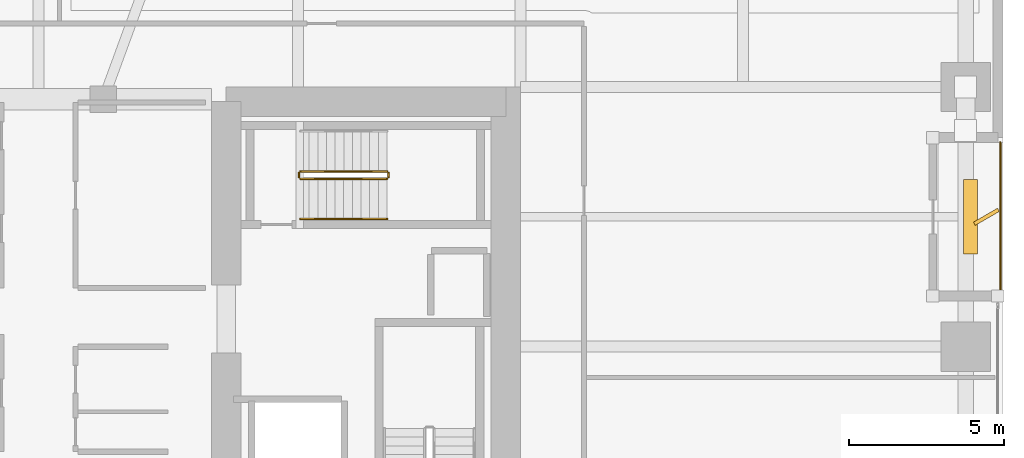
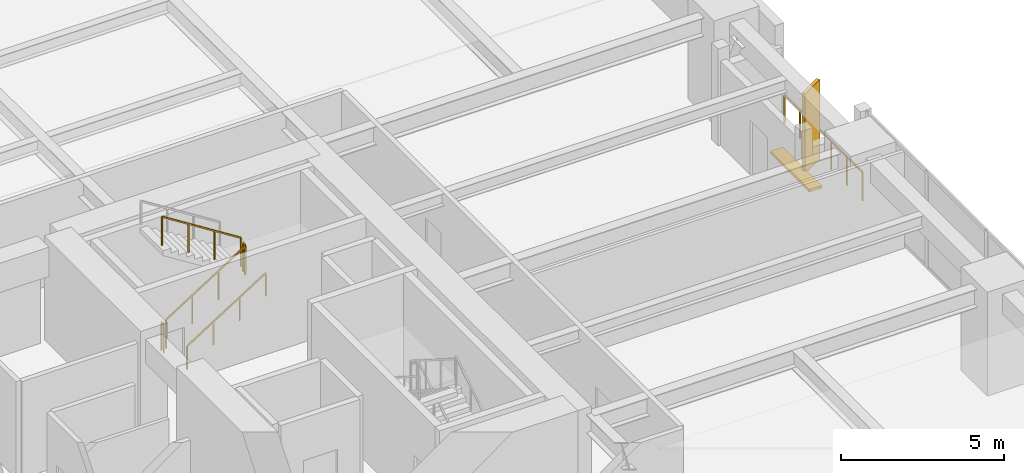
# One storey, part 28 of 29: 6 railings, 2 shading devices.
"""IFC4 building model written with IfcOpenShell, lengths in metres."""

import ifcopenshell
import ifcopenshell.guid

model = None  # the IFC model being written
_history = None  # IfcOwnerHistory: only IFC2X3 demands one
_inside = {}  # id of a spatial element -> (the spatial element, [elements in it])
_under = {}  # id of a project, library or spatial element -> (it, [spatial elements below it])
_declared = {}  # id of a project -> (the project, [libraries it declares])
_typed = {}  # id of a type object -> (the type object, [elements of that type])
_made_of = {}  # id of a material, layer set ... -> (it, [elements and type objects made of it])


def new_model(schema):
    """Start an empty IFC model of exactly this schema.

    Asked for "IFC4X3", IfcOpenShell would pick the latest addendum, in which some entities
    have other attributes; the version numbers below select the first issue.
    IFC2X3 requires an IfcOwnerHistory on every rooted entity: one is made here for all.
    """
    global model, _history
    if schema == "IFC4X3":
        model = ifcopenshell.file(schema_version=(4, 3, 0, 0))
    else:
        model = ifcopenshell.file(schema=schema)
    _inside.clear()
    _under.clear()
    _declared.clear()
    _typed.clear()
    _made_of.clear()
    _history = None
    if model.schema == "IFC2X3":
        org = make("IfcOrganization", Name="unknown")
        user = make(
            "IfcPersonAndOrganization",
            ThePerson=make("IfcPerson", FamilyName="unknown"),
            TheOrganization=org,
        )
        app = make(
            "IfcApplication",
            ApplicationDeveloper=org,
            Version="unknown",
            ApplicationFullName="unknown",
            ApplicationIdentifier="unknown",
        )
        _history = make(
            "IfcOwnerHistory",
            OwningUser=user,
            OwningApplication=app,
            ChangeAction="ADDED",
            CreationDate=0,
        )
    return model


def make(cls, **values):
    """One entity of the class cls with the attributes given. An attribute that is None is left unset."""
    return model.create_entity(
        cls, **{name: value for name, value in values.items() if value is not None}
    )


def rooted(cls, **values):
    """An entity with a GlobalId (a new one), such as an element, a storey or a relation."""
    return make(cls, GlobalId=ifcopenshell.guid.new(), OwnerHistory=_history, **values)


def si_unit(unit_type, name, prefix=None):
    """IfcSIUnit, for example si_unit("LENGTHUNIT", "METRE", prefix="MILLI")."""
    return make("IfcSIUnit", UnitType=unit_type, Prefix=prefix, Name=name)


def assignment(units):
    """IfcUnitAssignment: the units of a project."""
    return None if units is None else make("IfcUnitAssignment", Units=units)


def point(xyz):
    """IfcCartesianPoint."""
    return None if xyz is None else make("IfcCartesianPoint", Coordinates=xyz)


def direction(xyz):
    """IfcDirection."""
    return None if xyz is None else make("IfcDirection", DirectionRatios=xyz)


def frame(location, z_axis=None, x_axis=None):
    """IfcAxis2Placement3D, a coordinate frame: its origin and axes. An axis left out is left unset."""
    return make(
        "IfcAxis2Placement3D",
        Location=point(location),
        Axis=direction(z_axis),
        RefDirection=direction(x_axis),
    )


def frame_2d(location, x_axis=None):
    """IfcAxis2Placement2D, a coordinate frame in the plane: its origin and x axis."""
    return make(
        "IfcAxis2Placement2D", Location=point(location), RefDirection=direction(x_axis)
    )


def origin():
    """The frame at (0, 0, 0) with its axes left unset."""
    return frame((0.0, 0.0, 0.0))


def origin_2d():
    """The frame at (0, 0) in the plane with its x axis left unset."""
    return frame_2d((0.0, 0.0))


def place(relative_to, where):
    """IfcLocalPlacement: puts the frame where relative to a parent placement (None: the world)."""
    return make(
        "IfcLocalPlacement", PlacementRelTo=relative_to, RelativePlacement=where
    )


def context(
    kind, dimensions, precision=None, world=None, true_north=None, identifier=None
):
    """IfcGeometricRepresentationContext, for example the 3D "Model" context."""
    return make(
        "IfcGeometricRepresentationContext",
        ContextIdentifier=identifier,
        ContextType=kind,
        CoordinateSpaceDimension=dimensions,
        Precision=precision,
        WorldCoordinateSystem=world,
        TrueNorth=true_north,
    )


def subcontext(parent, identifier, kind, view, scale=None):
    """IfcGeometricRepresentationSubContext, for example "Body" below "Model"."""
    return make(
        "IfcGeometricRepresentationSubContext",
        ContextIdentifier=identifier,
        ContextType=kind,
        ParentContext=parent,
        TargetScale=scale,
        TargetView=view,
    )


def project(units=None, contexts=None):
    """IfcProject with its units and contexts."""
    return rooted(
        "IfcProject",
        Name="project",
        RepresentationContexts=contexts,
        UnitsInContext=assignment(units),
    )


def spatial(cls, under=None, at=None, **own):
    """A site, building, storey or space (cls), placed at a placement, below another one or the project."""
    s = rooted(cls, ObjectPlacement=at, **own)
    if under is not None:
        _under.setdefault(under.id(), (under, []))[1].append(s)
    return s


def profile(cls, at=None, kind="AREA", **sizes):
    """A parametric profile (cls). Its sizes go by their IFC names, for example OverallWidth=200.0."""
    return make(cls, ProfileType=kind, Position=at, **sizes)


def rectangle(**sizes):
    """IfcRectangleProfileDef."""
    return profile("IfcRectangleProfileDef", **sizes)


def extrude(swept, where, along, depth):
    """IfcExtrudedAreaSolid: the profile swept, set in the frame where, extruded along a direction by depth."""
    return make(
        "IfcExtrudedAreaSolid",
        SweptArea=swept,
        Position=where,
        ExtrudedDirection=direction(along),
        Depth=depth,
    )


def shape(context_of_items, identifier, shape_type, items):
    """IfcShapeRepresentation: the items that make up one representation, for example the "Body"."""
    return make(
        "IfcShapeRepresentation",
        ContextOfItems=context_of_items,
        RepresentationIdentifier=identifier,
        RepresentationType=shape_type,
        Items=items,
    )


def material(Name=None, Category=None):
    """IfcMaterial."""
    return make("IfcMaterial", Name=Name, Category=Category)


def made_of(thing, what):
    """Note that an element or type object is made of a material, layer set ...; save() writes the relation."""
    if what is not None:
        _made_of.setdefault(what.id(), (what, []))[1].append(thing)
    return thing


def type_object(cls, material=None, **own):
    """A type object (cls), such as IfcWallType, which elements share."""
    return made_of(rooted(cls, **own), material)


def element(
    cls,
    number,
    at=None,
    inside=None,
    cuts=None,
    type_object=None,
    material=None,
    context=None,
    identifier="Body",
    shape_type=None,
    held_by="IfcProductDefinitionShape",
    body=None,
    shapes=None,
    **own,
):
    """One element of the class cls, such as IfcWall. Its Tag is "e" and its number.

    at: its placement. inside: the storey or other place that contains it. cuts: it is an
    opening in that element (IfcRelVoidsElement). A single representation is given by context,
    identifier, shape_type and body (its items); several are given by shapes. held_by: the class
    of the entity that holds the representations. save() writes the other relations.
    """
    e = rooted(cls, Tag="e%d" % number, ObjectPlacement=at, **own)
    if body is not None:
        shapes = [shape(context, identifier, shape_type, body)]
    if shapes is not None:
        e.Representation = make(held_by, Representations=shapes)
    if inside is not None:
        _inside.setdefault(inside.id(), (inside, []))[1].append(e)
    if cuts is not None:
        rooted(
            "IfcRelVoidsElement", RelatingBuildingElement=cuts, RelatedOpeningElement=e
        )
    if type_object is not None:
        _typed.setdefault(type_object.id(), (type_object, []))[1].append(e)
    return made_of(e, material)


def aggregate(whole, parts):
    """IfcRelAggregates: a whole, such as a stair, and the parts it consists of."""
    return rooted("IfcRelAggregates", RelatingObject=whole, RelatedObjects=parts)


def save(model, path):
    """Write the relations noted so far, then the file.

    IfcRelAggregates (storeys below a building ...), IfcRelContainedInSpatialStructure (elements
    in a storey), IfcRelDefinesByType, IfcRelAssociatesMaterial and IfcRelDeclares: one each for
    every whole, place, type object, material and project.
    """
    for whole, parts in _under.values():
        aggregate(whole, parts)
    for where, things in _inside.values():
        rooted(
            "IfcRelContainedInSpatialStructure",
            RelatedElements=things,
            RelatingStructure=where,
        )
    for kind, things in _typed.values():
        rooted("IfcRelDefinesByType", RelatedObjects=things, RelatingType=kind)
    for what, things in _made_of.values():
        rooted("IfcRelAssociatesMaterial", RelatedObjects=things, RelatingMaterial=what)
    for by, libraries in _declared.values():
        rooted("IfcRelDeclares", RelatingContext=by, RelatedDefinitions=libraries)
    model.write(path)


model = new_model("IFC4")

# Units and contexts
model_context = context("Model", 3, precision=1e-05, world=origin(), true_north=direction((0.0, 1.0)))
body_context = subcontext(model_context, "Body", "Model", "MODEL_VIEW")
ifc_project = project(units=[si_unit("LENGTHUNIT", "METRE"), si_unit("AREAUNIT", "SQUARE_METRE"), si_unit("VOLUMEUNIT", "CUBIC_METRE"), si_unit("PLANEANGLEUNIT", "RADIAN"), si_unit("MASSUNIT", "GRAM", prefix="KILO")], contexts=[model_context])

# Site, building, storey
site_placement = place(None, origin())
site = spatial("IfcSite", under=ifc_project, at=site_placement, CompositionType="ELEMENT")
building_placement = place(site_placement, origin())
building = spatial("IfcBuilding", under=site, at=building_placement, Name="Kiyonajd Concourse Tower", CompositionType="ELEMENT")
storey_placement = place(building_placement, frame((0.0, 0.0, 29.39990234375)))
storey = spatial("IfcBuildingStorey", under=building, at=storey_placement, Name="L08", CompositionType="ELEMENT", Elevation=29.39990234375)

# Railings
ifc_material_1 = material(Name="Thermally Broken Anodised Aluminium", Category="aluminium")
railing_type_1 = type_object("IfcRailingType", Name="RL-GRD-LOG", PredefinedType="GUARDRAIL", material=ifc_material_1)
railing_1_placement = place(storey_placement, frame((79.1201171875, 37.800048828125, 0.0)))
element("IfcRailing", 1, at=railing_1_placement, inside=storey, type_object=railing_type_1, Name="L08 Engawa Loggia Perimeter Guard LOG-E", PredefinedType="GUARDRAIL", context=body_context, shape_type="SweptSolid", body=[
    extrude(rectangle(XDim=0.048095703125, YDim=0.048095703125, at=origin_2d()), frame((0.0, 0.0, 1.076171875), z_axis=(0.0, 1.0, 0.0), x_axis=(-1.0, 0.0, 0.0)), (0.0, 0.0, 1.0), 4.800048828125),
    extrude(rectangle(XDim=0.0419921875, YDim=0.0419921875, at=origin_2d()), origin(), (0.0, 0.0, 1.0), 1.052001953125),
    extrude(rectangle(XDim=0.0419921875, YDim=0.0419921875, at=origin_2d()), frame((0.0, 0.9599609375, 0.0)), (0.0, 0.0, 1.0), 1.052001953125),
    extrude(rectangle(XDim=0.0419921875, YDim=0.0419921875, at=origin_2d()), frame((0.0, 1.919921875, 0.0)), (0.0, 0.0, 1.0), 1.052001953125),
    extrude(rectangle(XDim=0.0419921875, YDim=0.0419921875, at=origin_2d()), frame((0.0, 2.880126953125, 0.0)), (0.0, 0.0, 1.0), 1.052001953125),
    extrude(rectangle(XDim=0.0419921875, YDim=0.0419921875, at=origin_2d()), frame((0.0, 3.840087890625, 0.0)), (0.0, 0.0, 1.0), 1.052001953125),
    extrude(rectangle(XDim=0.0419921875, YDim=0.0419921875, at=origin_2d()), frame((0.0, 4.800048828125, 0.0)), (0.0, 0.0, 1.0), 1.052001953125),
])
ifc_material_2 = material(Name="Steel ASTM A500 Grade C", Category="steel")
railing_type_2 = type_object("IfcRailingType", Name="RL-GRD-STR", PredefinedType="GUARDRAIL", material=ifc_material_2)
railing_2_placement = place(storey_placement, frame((56.47998046875, 41.429931640625, 0.177490234375)))
element("IfcRailing", 2, at=railing_2_placement, inside=storey, type_object=railing_type_2, Name="L08 ST3 stair guard 1", PredefinedType="GUARDRAIL", context=body_context, shape_type="SweptSolid", body=[
    extrude(rectangle(XDim=0.048095703125, YDim=0.048095703125, at=origin_2d()), frame((0.0, 0.0, 1.076171875), z_axis=(0.844908973607, 0.0, 0.534910110503), x_axis=(0.0, 1.0, 0.0)), (0.0, 0.0, 1.0), 3.31396484375),
    extrude(rectangle(XDim=0.0419921875, YDim=0.0419921875, at=origin_2d()), origin(), (0.0, 0.0, 1.0), 1.052001953125),
    extrude(rectangle(XDim=0.0419921875, YDim=0.0419921875, at=origin_2d()), frame((0.933349609375, 0.0, 0.5908203125)), (0.0, 0.0, 1.0), 1.052001953125),
    extrude(rectangle(XDim=0.0419921875, YDim=0.0419921875, at=origin_2d()), frame((1.86669921875, 0.0, 1.181884765625)), (0.0, 0.0, 1.0), 1.052001953125),
    extrude(rectangle(XDim=0.0419921875, YDim=0.0419921875, at=origin_2d()), frame((2.800048828125, 0.0, 1.772705078125)), (0.0, 0.0, 1.0), 1.052001953125),
])
railing_3_placement = place(storey_placement, frame((59.330078125, 41.47998046875, 1.9501953125)))
element("IfcRailing", 3, at=railing_3_placement, inside=storey, type_object=railing_type_2, Name="L08 ST3 stair guard 2", PredefinedType="GUARDRAIL", context=body_context, shape_type="SweptSolid", body=[
    extrude(rectangle(XDim=0.048095703125, YDim=0.048095703125, at=origin_2d()), frame((0.0, 0.0, 1.076171875), z_axis=(0.0, 1.0, 0.0), x_axis=(-1.0, 0.0, 0.0)), (0.0, 0.0, 1.0), 0.14013671875),
    extrude(rectangle(XDim=0.0419921875, YDim=0.0419921875, at=origin_2d()), origin(), (0.0, 0.0, 1.0), 1.052001953125),
    extrude(rectangle(XDim=0.0419921875, YDim=0.0419921875, at=origin_2d()), frame((0.0, 0.14013671875, 0.0)), (0.0, 0.0, 1.0), 1.052001953125),
])
railing_4_placement = place(storey_placement, frame((59.280029296875, 41.669921875, 2.12744140625)))
element("IfcRailing", 4, at=railing_4_placement, inside=storey, type_object=railing_type_2, Name="L08 ST3 stair guard 3", PredefinedType="GUARDRAIL", context=body_context, shape_type="SweptSolid", body=[
    extrude(rectangle(XDim=0.048095703125, YDim=0.048095703125, at=origin_2d()), frame((0.0, 0.0, 1.076171875), z_axis=(-0.844908973607, 0.0, 0.534910110503), x_axis=(0.0, -1.0, 0.0)), (0.0, 0.0, 1.0), 3.31396484375),
    extrude(rectangle(XDim=0.0419921875, YDim=0.0419921875, at=origin_2d()), origin(), (0.0, 0.0, 1.0), 1.052001953125),
    extrude(rectangle(XDim=0.0419921875, YDim=0.0419921875, at=origin_2d()), frame((-0.933349609375, 0.0, 0.5908203125)), (0.0, 0.0, 1.0), 1.052001953125),
    extrude(rectangle(XDim=0.0419921875, YDim=0.0419921875, at=origin_2d()), frame((-1.86669921875, 0.0, 1.181884765625)), (0.0, 0.0, 1.0), 1.052001953125),
    extrude(rectangle(XDim=0.0419921875, YDim=0.0419921875, at=origin_2d()), frame((-2.800048828125, 0.0, 1.772705078125)), (0.0, 0.0, 1.0), 1.052001953125),
])
railing_5_placement = place(storey_placement, frame((56.429931640625, 41.47998046875, 0.0)))
element("IfcRailing", 5, at=railing_5_placement, inside=storey, type_object=railing_type_2, Name="L08 ST3 stair guard 4", PredefinedType="GUARDRAIL", context=body_context, shape_type="SweptSolid", body=[
    extrude(rectangle(XDim=0.048095703125, YDim=0.048095703125, at=origin_2d()), frame((0.0, 0.0, 1.076171875), z_axis=(0.0, 1.0, 0.0), x_axis=(-1.0, 0.0, 0.0)), (0.0, 0.0, 1.0), 0.14013671875),
    extrude(rectangle(XDim=0.0419921875, YDim=0.0419921875, at=origin_2d()), origin(), (0.0, 0.0, 1.0), 1.052001953125),
    extrude(rectangle(XDim=0.0419921875, YDim=0.0419921875, at=origin_2d()), frame((0.0, 0.14013671875, 0.0)), (0.0, 0.0, 1.0), 1.052001953125),
])
ifc_material_3 = material(Name="Brushed Stainless Steel Cab Assembly", Category="steel")
railing_type_3 = type_object("IfcRailingType", Name="RL-HND-900", PredefinedType="HANDRAIL", material=ifc_material_3)
railing_6_placement = place(storey_placement, frame((56.47998046875, 40.1298828125, 0.177490234375)))
element("IfcRailing", 6, at=railing_6_placement, inside=storey, type_object=railing_type_3, Name="L08 ST3 stair handrail 1", PredefinedType="HANDRAIL", context=body_context, shape_type="SweptSolid", body=[
    extrude(rectangle(XDim=0.048095703125, YDim=0.048095703125, at=origin_2d()), frame((0.0, 0.0, 0.8759765625), z_axis=(0.844908973607, 0.0, 0.534910110503), x_axis=(0.0, 1.0, 0.0)), (0.0, 0.0, 1.0), 3.31396484375),
    extrude(rectangle(XDim=0.0419921875, YDim=0.0419921875, at=origin_2d()), origin(), (0.0, 0.0, 1.0), 0.851806640625),
    extrude(rectangle(XDim=0.0419921875, YDim=0.0419921875, at=origin_2d()), frame((0.933349609375, 0.0, 0.5908203125)), (0.0, 0.0, 1.0), 0.851806640625),
    extrude(rectangle(XDim=0.0419921875, YDim=0.0419921875, at=origin_2d()), frame((1.86669921875, 0.0, 1.181884765625)), (0.0, 0.0, 1.0), 0.851806640625),
    extrude(rectangle(XDim=0.0419921875, YDim=0.0419921875, at=origin_2d()), frame((2.800048828125, 0.0, 1.772705078125)), (0.0, 0.0, 1.0), 0.851806640625),
])

# Shading devices
ifc_material_4 = material(Name="Precast concrete C50/60", Category="concrete")
shading_device_type_1 = type_object("IfcShadingDeviceType", Name="SH-FIN-900", PredefinedType="USERDEFINED", material=ifc_material_4)
shading_device_1_placement = place(storey_placement, frame((78.669921875, 40.199951171875, 0.0), z_axis=(0.0, 0.0, 1.0), x_axis=(0.866025403784, 0.5, 0.0)))
element("IfcShadingDevice", 7, at=shading_device_1_placement, inside=storey, type_object=shading_device_type_1, Name="L08 Angled Koshi Solar Fin LOG-E", ObjectType="FIN", PredefinedType="USERDEFINED", context=body_context, shape_type="SweptSolid", body=[
    extrude(rectangle(XDim=0.89990234375, YDim=0.1201171875, at=origin_2d()), origin(), (0.0, 0.0, 1.0), 3.0),
])
shading_device_type_2 = type_object("IfcShadingDeviceType", Name="SH-LVR-600", PredefinedType="JALOUSIE", material=ifc_material_1)
shading_device_2_placement = place(storey_placement, frame((78.14990234375, 40.199951171875, 0.0), z_axis=(0.0, 0.0, 1.0), x_axis=(0.0, 1.0, 0.0)))
element("IfcShadingDevice", 8, at=shading_device_2_placement, inside=storey, type_object=shading_device_type_2, Name="L08 Loggia Threshold Louver LOG-E", PredefinedType="JALOUSIE", context=body_context, shape_type="SweptSolid", body=[
    extrude(rectangle(XDim=2.39990234375, YDim=0.449951171875, at=origin_2d()), origin(), (0.0, 0.0, 1.0), 0.10009765625),
])

save(model, "model.ifc")
